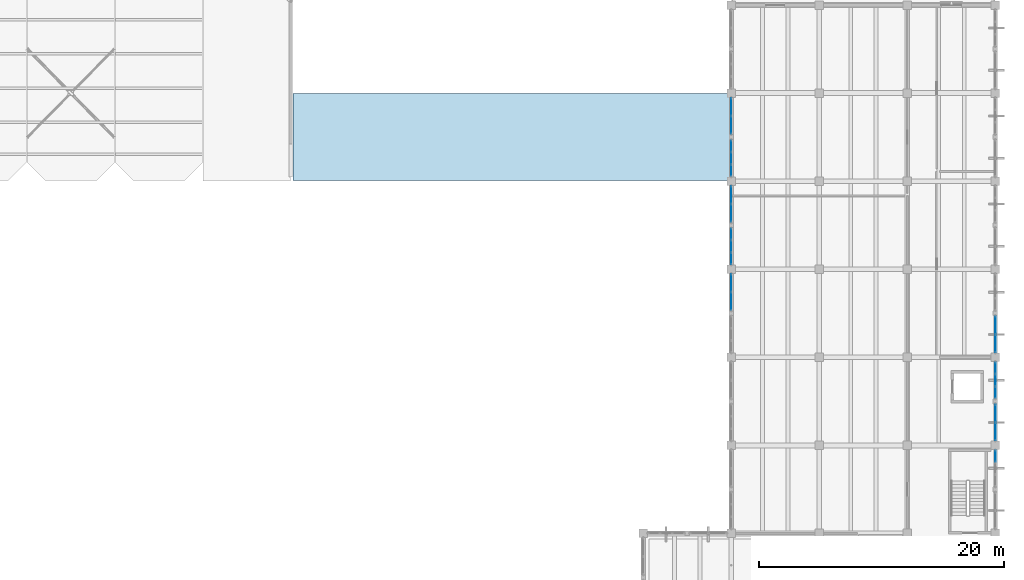
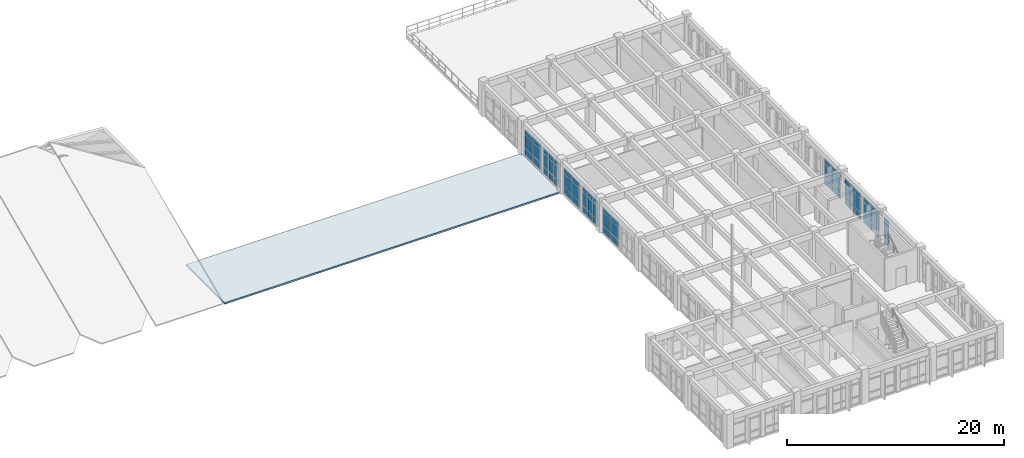
# One storey, part 28 of 54: 60 plates, 1 slab, 9 elements without a shape of their own.
"""IFC4 building model written with IfcOpenShell, lengths in metres."""

from ifc_helpers import new_model, si_unit, direction, frame, origin, origin_2d, place, context, subcontext, project, spatial, polyline, rectangle, outline, extrude, material, layer, layer_set, type_object, element, aggregate, save


model = new_model("IFC4")

# Units and contexts
model_context = context("Model", 3, precision=1e-05, world=origin(), true_north=direction((0.0, 1.0)))
body_context = subcontext(model_context, "Body", "Model", "MODEL_VIEW")
ifc_project = project(units=[si_unit("LENGTHUNIT", "METRE"), si_unit("AREAUNIT", "SQUARE_METRE"), si_unit("VOLUMEUNIT", "CUBIC_METRE"), si_unit("PLANEANGLEUNIT", "RADIAN"), si_unit("MASSUNIT", "GRAM", prefix="KILO")], contexts=[model_context])

# Site, building, storey
site_placement = place(None, origin())
site = spatial("IfcSite", under=ifc_project, at=site_placement, CompositionType="ELEMENT")
building_placement = place(site_placement, origin())
building = spatial("IfcBuilding", under=site, at=building_placement, Name="Koriwan Promenade Central Fire Station", CompositionType="ELEMENT")
storey_placement = place(building_placement, frame((0.0, 0.0, 9.60009765625)))
storey = spatial("IfcBuildingStorey", under=building, at=storey_placement, Name="L02", CompositionType="ELEMENT", Elevation=9.60009765625)

# Curtain wall, plates
ifc_material_1 = material(Name="Aluminium EN AW-6063-T6 and low-E glazing", Category="aluminium")
ifc_layer_1 = layer(ifc_material_1, 0.159912109375, Name="Aluminium EN AW-6063-T6 and low-E glazing")
ifc_layer_set_1 = layer_set([ifc_layer_1], Name="Aluminium EN AW-6063-T6 and low-E glazing")
curtain_wall_type_1 = type_object("IfcCurtainWallType", Name="CurtainWall_10_305x299", PredefinedType="USERDEFINED", material=ifc_layer_set_1)
curtain_wall_1_placement = place(storey_placement, origin())
curtain_wall_1 = element("IfcCurtainWall", 1, at=curtain_wall_1_placement, inside=storey, type_object=curtain_wall_type_1, Name="V5 L02 unitised curtain wall 228", ObjectType="UNITISED CURTAIN WALL", PredefinedType="USERDEFINED")
ifc_material_2 = material(Name="Low-E laminated double glazing", Category="glass")
ifc_layer_2 = layer(ifc_material_2, 0.028076171875, Name="Low-E laminated double glazing")
ifc_layer_set_2 = layer_set([ifc_layer_2], Name="Low-E laminated double glazing")
plate_type_1 = type_object("IfcPlateType", Name="CWPanel_28", PredefinedType="CURTAIN_PANEL", material=ifc_layer_set_2)
plate_1_placement = place(storey_placement, frame((151.199951171875, 33.382568359375, 0.079833984375), z_axis=(0.0, 0.0, 1.0), x_axis=(0.0, 1.0, 0.0)))
plate_1 = element("IfcPlate", 2, at=plate_1_placement, type_object=plate_type_1, Name="CW-10 panel 1.1", PredefinedType="CURTAIN_PANEL", context=body_context, shape_type="SweptSolid", body=[
    extrude(rectangle(XDim=1.405029296875, YDim=0.028076171875, at=origin_2d()), origin(), (0.0, 0.0, 1.0), 0.72998046875),
])
plate_2_placement = place(storey_placement, frame((151.199951171875, 33.382568359375, 0.89013671875), z_axis=(0.0, 0.0, 1.0), x_axis=(0.0, 1.0, 0.0)))
plate_2 = element("IfcPlate", 3, at=plate_2_placement, type_object=plate_type_1, Name="CW-10 panel 1.2", PredefinedType="CURTAIN_PANEL", context=body_context, shape_type="SweptSolid", body=[
    extrude(rectangle(XDim=1.405029296875, YDim=0.028076171875, at=origin_2d()), origin(), (0.0, 0.0, 1.0), 1.409912109375),
])
plate_3_placement = place(storey_placement, frame((151.199951171875, 33.382568359375, 2.3798828125), z_axis=(0.0, 0.0, 1.0), x_axis=(0.0, 1.0, 0.0)))
plate_3 = element("IfcPlate", 4, at=plate_3_placement, type_object=plate_type_1, Name="CW-10 panel 1.3", PredefinedType="CURTAIN_PANEL", context=body_context, shape_type="SweptSolid", body=[
    extrude(rectangle(XDim=1.405029296875, YDim=0.028076171875, at=origin_2d()), origin(), (0.0, 0.0, 1.0), 0.530029296875),
])
plate_4_placement = place(storey_placement, frame((151.199951171875, 34.867431640625, 0.079833984375), z_axis=(0.0, 0.0, 1.0), x_axis=(0.0, 1.0, 0.0)))
plate_4 = element("IfcPlate", 5, at=plate_4_placement, type_object=plate_type_1, Name="CW-10 panel 2.1", PredefinedType="CURTAIN_PANEL", context=body_context, shape_type="SweptSolid", body=[
    extrude(rectangle(XDim=1.405029296875, YDim=0.028076171875, at=origin_2d()), origin(), (0.0, 0.0, 1.0), 0.72998046875),
])
plate_5_placement = place(storey_placement, frame((151.199951171875, 34.867431640625, 0.89013671875), z_axis=(0.0, 0.0, 1.0), x_axis=(0.0, 1.0, 0.0)))
plate_5 = element("IfcPlate", 6, at=plate_5_placement, type_object=plate_type_1, Name="CW-10 panel 2.2", PredefinedType="CURTAIN_PANEL", context=body_context, shape_type="SweptSolid", body=[
    extrude(rectangle(XDim=1.405029296875, YDim=0.028076171875, at=origin_2d()), origin(), (0.0, 0.0, 1.0), 1.409912109375),
])
plate_6_placement = place(storey_placement, frame((151.199951171875, 34.867431640625, 2.3798828125), z_axis=(0.0, 0.0, 1.0), x_axis=(0.0, 1.0, 0.0)))
plate_6 = element("IfcPlate", 7, at=plate_6_placement, type_object=plate_type_1, Name="CW-10 panel 2.3", PredefinedType="CURTAIN_PANEL", context=body_context, shape_type="SweptSolid", body=[
    extrude(rectangle(XDim=1.405029296875, YDim=0.028076171875, at=origin_2d()), origin(), (0.0, 0.0, 1.0), 0.530029296875),
])
aggregate(curtain_wall_1, [plate_1, plate_2, plate_3, plate_4, plate_5, plate_6])

ifc_layer_3 = layer(ifc_material_1, 0.159912109375, Name="Aluminium EN AW-6063-T6 and low-E glazing")
ifc_layer_set_3 = layer_set([ifc_layer_3], Name="Aluminium EN AW-6063-T6 and low-E glazing")
curtain_wall_type_2 = type_object("IfcCurtainWallType", Name="CurtainWall_81_305x304", PredefinedType="USERDEFINED", material=ifc_layer_set_3)
curtain_wall_2_placement = place(storey_placement, origin())
curtain_wall_2 = element("IfcCurtainWall", 8, at=curtain_wall_2_placement, inside=storey, type_object=curtain_wall_type_2, Name="V5 L02 unitised curtain wall 230", ObjectType="UNITISED CURTAIN WALL", PredefinedType="USERDEFINED")
plate_7_placement = place(storey_placement, frame((151.199951171875, 40.58251953125, 0.079833984375), z_axis=(0.0, 0.0, 1.0), x_axis=(0.0, 1.0, 0.0)))
plate_7 = element("IfcPlate", 9, at=plate_7_placement, type_object=plate_type_1, Name="CW-81 panel 1.1", PredefinedType="CURTAIN_PANEL", context=body_context, shape_type="SweptSolid", body=[
    extrude(rectangle(XDim=1.405029296875, YDim=0.028076171875, at=origin_2d()), origin(), (0.0, 0.0, 1.0), 0.72998046875),
])
plate_8_placement = place(storey_placement, frame((151.199951171875, 40.58251953125, 0.889892578125), z_axis=(0.0, 0.0, 1.0), x_axis=(0.0, 1.0, 0.0)))
plate_8 = element("IfcPlate", 10, at=plate_8_placement, type_object=plate_type_1, Name="CW-81 panel 1.2", PredefinedType="CURTAIN_PANEL", context=body_context, shape_type="SweptSolid", body=[
    extrude(rectangle(XDim=1.405029296875, YDim=0.028076171875, at=origin_2d()), origin(), (0.0, 0.0, 1.0), 1.4599609375),
])
plate_9_placement = place(storey_placement, frame((151.199951171875, 40.58251953125, 2.4296875), z_axis=(0.0, 0.0, 1.0), x_axis=(0.0, 1.0, 0.0)))
plate_9 = element("IfcPlate", 11, at=plate_9_placement, type_object=plate_type_1, Name="CW-81 panel 1.3", PredefinedType="CURTAIN_PANEL", context=body_context, shape_type="SweptSolid", body=[
    extrude(rectangle(XDim=1.405029296875, YDim=0.028076171875, at=origin_2d()), origin(), (0.0, 0.0, 1.0), 0.530029296875),
])
plate_10_placement = place(storey_placement, frame((151.199951171875, 42.0673828125, 0.079833984375), z_axis=(0.0, 0.0, 1.0), x_axis=(0.0, 1.0, 0.0)))
plate_10 = element("IfcPlate", 12, at=plate_10_placement, type_object=plate_type_1, Name="CW-81 panel 2.1", PredefinedType="CURTAIN_PANEL", context=body_context, shape_type="SweptSolid", body=[
    extrude(rectangle(XDim=1.405029296875, YDim=0.028076171875, at=origin_2d()), origin(), (0.0, 0.0, 1.0), 0.72998046875),
])
plate_11_placement = place(storey_placement, frame((151.199951171875, 42.0673828125, 0.889892578125), z_axis=(0.0, 0.0, 1.0), x_axis=(0.0, 1.0, 0.0)))
plate_11 = element("IfcPlate", 13, at=plate_11_placement, type_object=plate_type_1, Name="CW-81 panel 2.2", PredefinedType="CURTAIN_PANEL", context=body_context, shape_type="SweptSolid", body=[
    extrude(rectangle(XDim=1.405029296875, YDim=0.028076171875, at=origin_2d()), origin(), (0.0, 0.0, 1.0), 1.4599609375),
])
plate_12_placement = place(storey_placement, frame((151.199951171875, 42.0673828125, 2.4296875), z_axis=(0.0, 0.0, 1.0), x_axis=(0.0, 1.0, 0.0)))
plate_12 = element("IfcPlate", 14, at=plate_12_placement, type_object=plate_type_1, Name="CW-81 panel 2.3", PredefinedType="CURTAIN_PANEL", context=body_context, shape_type="SweptSolid", body=[
    extrude(rectangle(XDim=1.405029296875, YDim=0.028076171875, at=origin_2d()), origin(), (0.0, 0.0, 1.0), 0.530029296875),
])
aggregate(curtain_wall_2, [plate_7, plate_8, plate_9, plate_10, plate_11, plate_12])

ifc_layer_4 = layer(ifc_material_1, 0.159912109375, Name="Aluminium EN AW-6063-T6 and low-E glazing")
ifc_layer_set_4 = layer_set([ifc_layer_4], Name="Aluminium EN AW-6063-T6 and low-E glazing")
curtain_wall_type_3 = type_object("IfcCurtainWallType", Name="CurtainWall_75_305x300", PredefinedType="USERDEFINED", material=ifc_layer_set_4)
curtain_wall_3_placement = place(storey_placement, origin())
curtain_wall_3 = element("IfcCurtainWall", 15, at=curtain_wall_3_placement, inside=storey, type_object=curtain_wall_type_3, Name="V5 L02 unitised curtain wall 232", ObjectType="UNITISED CURTAIN WALL", PredefinedType="USERDEFINED")
plate_13_placement = place(storey_placement, frame((151.199951171875, 47.782470703125, 0.079833984375), z_axis=(0.0, 0.0, 1.0), x_axis=(0.0, 1.0, 0.0)))
plate_13 = element("IfcPlate", 16, at=plate_13_placement, type_object=plate_type_1, Name="CW-75 panel 1.1", PredefinedType="CURTAIN_PANEL", context=body_context, shape_type="SweptSolid", body=[
    extrude(rectangle(XDim=1.405029296875, YDim=0.028076171875, at=origin_2d()), origin(), (0.0, 0.0, 1.0), 0.72998046875),
])
plate_14_placement = place(storey_placement, frame((151.199951171875, 47.782470703125, 0.889892578125), z_axis=(0.0, 0.0, 1.0), x_axis=(0.0, 1.0, 0.0)))
plate_14 = element("IfcPlate", 17, at=plate_14_placement, type_object=plate_type_1, Name="CW-75 panel 1.2", PredefinedType="CURTAIN_PANEL", context=body_context, shape_type="SweptSolid", body=[
    extrude(rectangle(XDim=1.405029296875, YDim=0.028076171875, at=origin_2d()), origin(), (0.0, 0.0, 1.0), 1.419921875),
])
plate_15_placement = place(storey_placement, frame((151.199951171875, 47.782470703125, 2.3896484375), z_axis=(0.0, 0.0, 1.0), x_axis=(0.0, 1.0, 0.0)))
plate_15 = element("IfcPlate", 18, at=plate_15_placement, type_object=plate_type_1, Name="CW-75 panel 1.3", PredefinedType="CURTAIN_PANEL", context=body_context, shape_type="SweptSolid", body=[
    extrude(rectangle(XDim=1.405029296875, YDim=0.028076171875, at=origin_2d()), origin(), (0.0, 0.0, 1.0), 0.530029296875),
])
plate_16_placement = place(storey_placement, frame((151.199951171875, 49.267578125, 0.079833984375), z_axis=(0.0, 0.0, 1.0), x_axis=(0.0, 1.0, 0.0)))
plate_16 = element("IfcPlate", 19, at=plate_16_placement, type_object=plate_type_1, Name="CW-75 panel 2.1", PredefinedType="CURTAIN_PANEL", context=body_context, shape_type="SweptSolid", body=[
    extrude(rectangle(XDim=1.405029296875, YDim=0.028076171875, at=origin_2d()), origin(), (0.0, 0.0, 1.0), 0.72998046875),
])
plate_17_placement = place(storey_placement, frame((151.199951171875, 49.267578125, 0.889892578125), z_axis=(0.0, 0.0, 1.0), x_axis=(0.0, 1.0, 0.0)))
plate_17 = element("IfcPlate", 20, at=plate_17_placement, type_object=plate_type_1, Name="CW-75 panel 2.2", PredefinedType="CURTAIN_PANEL", context=body_context, shape_type="SweptSolid", body=[
    extrude(rectangle(XDim=1.405029296875, YDim=0.028076171875, at=origin_2d()), origin(), (0.0, 0.0, 1.0), 1.419921875),
])
plate_18_placement = place(storey_placement, frame((151.199951171875, 49.267578125, 2.3896484375), z_axis=(0.0, 0.0, 1.0), x_axis=(0.0, 1.0, 0.0)))
plate_18 = element("IfcPlate", 21, at=plate_18_placement, type_object=plate_type_1, Name="CW-75 panel 2.3", PredefinedType="CURTAIN_PANEL", context=body_context, shape_type="SweptSolid", body=[
    extrude(rectangle(XDim=1.405029296875, YDim=0.028076171875, at=origin_2d()), origin(), (0.0, 0.0, 1.0), 0.530029296875),
])
aggregate(curtain_wall_3, [plate_13, plate_14, plate_15, plate_16, plate_17, plate_18])

curtain_wall_4_placement = place(storey_placement, origin())
curtain_wall_4 = element("IfcCurtainWall", 22, at=curtain_wall_4_placement, inside=storey, type_object=curtain_wall_type_1, Name="V5 L02 unitised curtain wall 242", ObjectType="UNITISED CURTAIN WALL", PredefinedType="USERDEFINED")
plate_19_placement = place(storey_placement, frame((172.800048828125, 31.41748046875, 0.079833984375), z_axis=(0.0, 0.0, 1.0), x_axis=(0.0, -1.0, 0.0)))
plate_19 = element("IfcPlate", 23, at=plate_19_placement, type_object=plate_type_1, Name="CW-10 panel 1.1", PredefinedType="CURTAIN_PANEL", context=body_context, shape_type="SweptSolid", body=[
    extrude(rectangle(XDim=1.405029296875, YDim=0.028076171875, at=origin_2d()), origin(), (0.0, 0.0, 1.0), 0.72998046875),
])
plate_20_placement = place(storey_placement, frame((172.800048828125, 31.41748046875, 0.89013671875), z_axis=(0.0, 0.0, 1.0), x_axis=(0.0, -1.0, 0.0)))
plate_20 = element("IfcPlate", 24, at=plate_20_placement, type_object=plate_type_1, Name="CW-10 panel 1.2", PredefinedType="CURTAIN_PANEL", context=body_context, shape_type="SweptSolid", body=[
    extrude(rectangle(XDim=1.405029296875, YDim=0.028076171875, at=origin_2d()), origin(), (0.0, 0.0, 1.0), 1.409912109375),
])
plate_21_placement = place(storey_placement, frame((172.800048828125, 31.41748046875, 2.3798828125), z_axis=(0.0, 0.0, 1.0), x_axis=(0.0, -1.0, 0.0)))
plate_21 = element("IfcPlate", 25, at=plate_21_placement, type_object=plate_type_1, Name="CW-10 panel 1.3", PredefinedType="CURTAIN_PANEL", context=body_context, shape_type="SweptSolid", body=[
    extrude(rectangle(XDim=1.405029296875, YDim=0.028076171875, at=origin_2d()), origin(), (0.0, 0.0, 1.0), 0.530029296875),
])
plate_22_placement = place(storey_placement, frame((172.800048828125, 29.9326171875, 0.079833984375), z_axis=(0.0, 0.0, 1.0), x_axis=(0.0, -1.0, 0.0)))
plate_22 = element("IfcPlate", 26, at=plate_22_placement, type_object=plate_type_1, Name="CW-10 panel 2.1", PredefinedType="CURTAIN_PANEL", context=body_context, shape_type="SweptSolid", body=[
    extrude(rectangle(XDim=1.405029296875, YDim=0.028076171875, at=origin_2d()), origin(), (0.0, 0.0, 1.0), 0.72998046875),
])
plate_23_placement = place(storey_placement, frame((172.800048828125, 29.9326171875, 0.89013671875), z_axis=(0.0, 0.0, 1.0), x_axis=(0.0, -1.0, 0.0)))
plate_23 = element("IfcPlate", 27, at=plate_23_placement, type_object=plate_type_1, Name="CW-10 panel 2.2", PredefinedType="CURTAIN_PANEL", context=body_context, shape_type="SweptSolid", body=[
    extrude(rectangle(XDim=1.405029296875, YDim=0.028076171875, at=origin_2d()), origin(), (0.0, 0.0, 1.0), 1.409912109375),
])
plate_24_placement = place(storey_placement, frame((172.800048828125, 29.9326171875, 2.3798828125), z_axis=(0.0, 0.0, 1.0), x_axis=(0.0, -1.0, 0.0)))
plate_24 = element("IfcPlate", 28, at=plate_24_placement, type_object=plate_type_1, Name="CW-10 panel 2.3", PredefinedType="CURTAIN_PANEL", context=body_context, shape_type="SweptSolid", body=[
    extrude(rectangle(XDim=1.405029296875, YDim=0.028076171875, at=origin_2d()), origin(), (0.0, 0.0, 1.0), 0.530029296875),
])
aggregate(curtain_wall_4, [plate_19, plate_20, plate_21, plate_22, plate_23, plate_24])

curtain_wall_5_placement = place(storey_placement, origin())
curtain_wall_5 = element("IfcCurtainWall", 29, at=curtain_wall_5_placement, inside=storey, type_object=curtain_wall_type_2, Name="V5 L02 unitised curtain wall 244", ObjectType="UNITISED CURTAIN WALL", PredefinedType="USERDEFINED")
plate_25_placement = place(storey_placement, frame((172.800048828125, 24.217529296875, 0.079833984375), z_axis=(0.0, 0.0, 1.0), x_axis=(0.0, -1.0, 0.0)))
plate_25 = element("IfcPlate", 30, at=plate_25_placement, type_object=plate_type_1, Name="CW-81 panel 1.1", PredefinedType="CURTAIN_PANEL", context=body_context, shape_type="SweptSolid", body=[
    extrude(rectangle(XDim=1.405029296875, YDim=0.028076171875, at=origin_2d()), origin(), (0.0, 0.0, 1.0), 0.72998046875),
])
plate_26_placement = place(storey_placement, frame((172.800048828125, 24.217529296875, 0.889892578125), z_axis=(0.0, 0.0, 1.0), x_axis=(0.0, -1.0, 0.0)))
plate_26 = element("IfcPlate", 31, at=plate_26_placement, type_object=plate_type_1, Name="CW-81 panel 1.2", PredefinedType="CURTAIN_PANEL", context=body_context, shape_type="SweptSolid", body=[
    extrude(rectangle(XDim=1.405029296875, YDim=0.028076171875, at=origin_2d()), origin(), (0.0, 0.0, 1.0), 1.4599609375),
])
plate_27_placement = place(storey_placement, frame((172.800048828125, 24.217529296875, 2.4296875), z_axis=(0.0, 0.0, 1.0), x_axis=(0.0, -1.0, 0.0)))
plate_27 = element("IfcPlate", 32, at=plate_27_placement, type_object=plate_type_1, Name="CW-81 panel 1.3", PredefinedType="CURTAIN_PANEL", context=body_context, shape_type="SweptSolid", body=[
    extrude(rectangle(XDim=1.405029296875, YDim=0.028076171875, at=origin_2d()), origin(), (0.0, 0.0, 1.0), 0.530029296875),
])
plate_28_placement = place(storey_placement, frame((172.800048828125, 22.732421875, 0.079833984375), z_axis=(0.0, 0.0, 1.0), x_axis=(0.0, -1.0, 0.0)))
plate_28 = element("IfcPlate", 33, at=plate_28_placement, type_object=plate_type_1, Name="CW-81 panel 2.1", PredefinedType="CURTAIN_PANEL", context=body_context, shape_type="SweptSolid", body=[
    extrude(rectangle(XDim=1.405029296875, YDim=0.028076171875, at=origin_2d()), origin(), (0.0, 0.0, 1.0), 0.72998046875),
])
plate_29_placement = place(storey_placement, frame((172.800048828125, 22.732421875, 0.889892578125), z_axis=(0.0, 0.0, 1.0), x_axis=(0.0, -1.0, 0.0)))
plate_29 = element("IfcPlate", 34, at=plate_29_placement, type_object=plate_type_1, Name="CW-81 panel 2.2", PredefinedType="CURTAIN_PANEL", context=body_context, shape_type="SweptSolid", body=[
    extrude(rectangle(XDim=1.405029296875, YDim=0.028076171875, at=origin_2d()), origin(), (0.0, 0.0, 1.0), 1.4599609375),
])
plate_30_placement = place(storey_placement, frame((172.800048828125, 22.732421875, 2.4296875), z_axis=(0.0, 0.0, 1.0), x_axis=(0.0, -1.0, 0.0)))
plate_30 = element("IfcPlate", 35, at=plate_30_placement, type_object=plate_type_1, Name="CW-81 panel 2.3", PredefinedType="CURTAIN_PANEL", context=body_context, shape_type="SweptSolid", body=[
    extrude(rectangle(XDim=1.405029296875, YDim=0.028076171875, at=origin_2d()), origin(), (0.0, 0.0, 1.0), 0.530029296875),
])
aggregate(curtain_wall_5, [plate_25, plate_26, plate_27, plate_28, plate_29, plate_30])

ifc_layer_5 = layer(ifc_material_1, 0.159912109375, Name="Aluminium EN AW-6063-T6 and low-E glazing")
ifc_layer_set_5 = layer_set([ifc_layer_5], Name="Aluminium EN AW-6063-T6 and low-E glazing")
curtain_wall_type_4 = type_object("IfcCurtainWallType", Name="CurtainWall_80_305x304", PredefinedType="USERDEFINED", material=ifc_layer_set_5)
curtain_wall_6_placement = place(storey_placement, origin())
curtain_wall_6 = element("IfcCurtainWall", 36, at=curtain_wall_6_placement, inside=storey, type_object=curtain_wall_type_4, Name="V5 L02 unitised curtain wall 229", ObjectType="UNITISED CURTAIN WALL", PredefinedType="USERDEFINED")
ifc_material_3 = material(Name="Solar-control low-E acoustic glazing", Category="glass")
ifc_layer_6 = layer(ifc_material_3, 0.031982421875, Name="Solar-control low-E acoustic glazing")
ifc_layer_set_6 = layer_set([ifc_layer_6], Name="Solar-control low-E acoustic glazing")
plate_type_2 = type_object("IfcPlateType", Name="CWPanel_32", PredefinedType="CURTAIN_PANEL", material=ifc_layer_set_6)
plate_31_placement = place(storey_placement, frame((151.199951171875, 36.877197265625, 0.07470703125), z_axis=(0.0, 0.0, 1.0), x_axis=(0.0, 1.0, 0.0)))
plate_31 = element("IfcPlate", 37, at=plate_31_placement, type_object=plate_type_2, Name="CW-80 panel 1.1", PredefinedType="CURTAIN_PANEL", context=body_context, shape_type="SweptSolid", body=[
    extrude(rectangle(XDim=0.904052734375, YDim=0.031982421875, at=origin_2d()), origin(), (0.0, 0.0, 1.0), 0.737548828125),
])
plate_32_placement = place(storey_placement, frame((151.199951171875, 36.877197265625, 0.88720703125), z_axis=(0.0, 0.0, 1.0), x_axis=(0.0, 1.0, 0.0)))
plate_32 = element("IfcPlate", 38, at=plate_32_placement, type_object=plate_type_2, Name="CW-80 panel 1.2", PredefinedType="CURTAIN_PANEL", context=body_context, shape_type="SweptSolid", body=[
    extrude(rectangle(XDim=0.904052734375, YDim=0.031982421875, at=origin_2d()), origin(), (0.0, 0.0, 1.0), 1.465087890625),
])
plate_33_placement = place(storey_placement, frame((151.199951171875, 36.877197265625, 2.42724609375), z_axis=(0.0, 0.0, 1.0), x_axis=(0.0, 1.0, 0.0)))
plate_33 = element("IfcPlate", 39, at=plate_33_placement, type_object=plate_type_2, Name="CW-80 panel 1.3", PredefinedType="CURTAIN_PANEL", context=body_context, shape_type="SweptSolid", body=[
    extrude(rectangle(XDim=0.904052734375, YDim=0.031982421875, at=origin_2d()), origin(), (0.0, 0.0, 1.0), 0.53759765625),
])
plate_34_placement = place(storey_placement, frame((151.199951171875, 37.875, 0.07470703125), z_axis=(0.0, 0.0, 1.0), x_axis=(0.0, 1.0, 0.0)))
plate_34 = element("IfcPlate", 40, at=plate_34_placement, type_object=plate_type_2, Name="CW-80 panel 2.1", PredefinedType="CURTAIN_PANEL", context=body_context, shape_type="SweptSolid", body=[
    extrude(rectangle(XDim=0.941650390625, YDim=0.031982421875, at=origin_2d()), origin(), (0.0, 0.0, 1.0), 0.737548828125),
])
plate_35_placement = place(storey_placement, frame((151.199951171875, 37.875, 0.88720703125), z_axis=(0.0, 0.0, 1.0), x_axis=(0.0, 1.0, 0.0)))
plate_35 = element("IfcPlate", 41, at=plate_35_placement, type_object=plate_type_2, Name="CW-80 panel 2.2", PredefinedType="CURTAIN_PANEL", context=body_context, shape_type="SweptSolid", body=[
    extrude(rectangle(XDim=0.941650390625, YDim=0.031982421875, at=origin_2d()), origin(), (0.0, 0.0, 1.0), 1.465087890625),
])
plate_36_placement = place(storey_placement, frame((151.199951171875, 37.875, 2.42724609375), z_axis=(0.0, 0.0, 1.0), x_axis=(0.0, 1.0, 0.0)))
plate_36 = element("IfcPlate", 42, at=plate_36_placement, type_object=plate_type_2, Name="CW-80 panel 2.3", PredefinedType="CURTAIN_PANEL", context=body_context, shape_type="SweptSolid", body=[
    extrude(rectangle(XDim=0.941650390625, YDim=0.031982421875, at=origin_2d()), origin(), (0.0, 0.0, 1.0), 0.53759765625),
])
plate_37_placement = place(storey_placement, frame((151.199951171875, 38.872802734375, 0.07470703125), z_axis=(0.0, 0.0, 1.0), x_axis=(0.0, 1.0, 0.0)))
plate_37 = element("IfcPlate", 43, at=plate_37_placement, type_object=plate_type_2, Name="CW-80 panel 3.1", PredefinedType="CURTAIN_PANEL", context=body_context, shape_type="SweptSolid", body=[
    extrude(rectangle(XDim=0.904052734375, YDim=0.031982421875, at=origin_2d()), origin(), (0.0, 0.0, 1.0), 0.737548828125),
])
plate_38_placement = place(storey_placement, frame((151.199951171875, 38.872802734375, 0.88720703125), z_axis=(0.0, 0.0, 1.0), x_axis=(0.0, 1.0, 0.0)))
plate_38 = element("IfcPlate", 44, at=plate_38_placement, type_object=plate_type_2, Name="CW-80 panel 3.2", PredefinedType="CURTAIN_PANEL", context=body_context, shape_type="SweptSolid", body=[
    extrude(rectangle(XDim=0.904052734375, YDim=0.031982421875, at=origin_2d()), origin(), (0.0, 0.0, 1.0), 1.465087890625),
])
plate_39_placement = place(storey_placement, frame((151.199951171875, 38.872802734375, 2.42724609375), z_axis=(0.0, 0.0, 1.0), x_axis=(0.0, 1.0, 0.0)))
plate_39 = element("IfcPlate", 45, at=plate_39_placement, type_object=plate_type_2, Name="CW-80 panel 3.3", PredefinedType="CURTAIN_PANEL", context=body_context, shape_type="SweptSolid", body=[
    extrude(rectangle(XDim=0.904052734375, YDim=0.031982421875, at=origin_2d()), origin(), (0.0, 0.0, 1.0), 0.53759765625),
])
aggregate(curtain_wall_6, [plate_31, plate_32, plate_33, plate_34, plate_35, plate_36, plate_37, plate_38, plate_39])

ifc_layer_7 = layer(ifc_material_1, 0.159912109375, Name="Aluminium EN AW-6063-T6 and low-E glazing")
ifc_layer_set_7 = layer_set([ifc_layer_7], Name="Aluminium EN AW-6063-T6 and low-E glazing")
curtain_wall_type_5 = type_object("IfcCurtainWallType", Name="CurtainWall_74_305x300", PredefinedType="USERDEFINED", material=ifc_layer_set_7)
curtain_wall_7_placement = place(storey_placement, origin())
curtain_wall_7 = element("IfcCurtainWall", 46, at=curtain_wall_7_placement, inside=storey, type_object=curtain_wall_type_5, Name="V5 L02 unitised curtain wall 231", ObjectType="UNITISED CURTAIN WALL", PredefinedType="USERDEFINED")
plate_40_placement = place(storey_placement, frame((151.199951171875, 44.0771484375, 0.07470703125), z_axis=(0.0, 0.0, 1.0), x_axis=(0.0, 1.0, 0.0)))
plate_40 = element("IfcPlate", 47, at=plate_40_placement, type_object=plate_type_2, Name="CW-74 panel 1.1", PredefinedType="CURTAIN_PANEL", context=body_context, shape_type="SweptSolid", body=[
    extrude(rectangle(XDim=0.904052734375, YDim=0.031982421875, at=origin_2d()), origin(), (0.0, 0.0, 1.0), 0.737548828125),
])
plate_41_placement = place(storey_placement, frame((151.199951171875, 44.0771484375, 0.88720703125), z_axis=(0.0, 0.0, 1.0), x_axis=(0.0, 1.0, 0.0)))
plate_41 = element("IfcPlate", 48, at=plate_41_placement, type_object=plate_type_2, Name="CW-74 panel 1.2", PredefinedType="CURTAIN_PANEL", context=body_context, shape_type="SweptSolid", body=[
    extrude(rectangle(XDim=0.904052734375, YDim=0.031982421875, at=origin_2d()), origin(), (0.0, 0.0, 1.0), 1.425048828125),
])
plate_42_placement = place(storey_placement, frame((151.199951171875, 44.0771484375, 2.387451171875), z_axis=(0.0, 0.0, 1.0), x_axis=(0.0, 1.0, 0.0)))
plate_42 = element("IfcPlate", 49, at=plate_42_placement, type_object=plate_type_2, Name="CW-74 panel 1.3", PredefinedType="CURTAIN_PANEL", context=body_context, shape_type="SweptSolid", body=[
    extrude(rectangle(XDim=0.904052734375, YDim=0.031982421875, at=origin_2d()), origin(), (0.0, 0.0, 1.0), 0.53759765625),
])
plate_43_placement = place(storey_placement, frame((151.199951171875, 45.074951171875, 0.07470703125), z_axis=(0.0, 0.0, 1.0), x_axis=(0.0, 1.0, 0.0)))
plate_43 = element("IfcPlate", 50, at=plate_43_placement, type_object=plate_type_2, Name="CW-74 panel 2.1", PredefinedType="CURTAIN_PANEL", context=body_context, shape_type="SweptSolid", body=[
    extrude(rectangle(XDim=0.941650390625, YDim=0.031982421875, at=origin_2d()), origin(), (0.0, 0.0, 1.0), 0.737548828125),
])
plate_44_placement = place(storey_placement, frame((151.199951171875, 45.074951171875, 0.88720703125), z_axis=(0.0, 0.0, 1.0), x_axis=(0.0, 1.0, 0.0)))
plate_44 = element("IfcPlate", 51, at=plate_44_placement, type_object=plate_type_2, Name="CW-74 panel 2.2", PredefinedType="CURTAIN_PANEL", context=body_context, shape_type="SweptSolid", body=[
    extrude(rectangle(XDim=0.941650390625, YDim=0.031982421875, at=origin_2d()), origin(), (0.0, 0.0, 1.0), 1.425048828125),
])
plate_45_placement = place(storey_placement, frame((151.199951171875, 45.074951171875, 2.387451171875), z_axis=(0.0, 0.0, 1.0), x_axis=(0.0, 1.0, 0.0)))
plate_45 = element("IfcPlate", 52, at=plate_45_placement, type_object=plate_type_2, Name="CW-74 panel 2.3", PredefinedType="CURTAIN_PANEL", context=body_context, shape_type="SweptSolid", body=[
    extrude(rectangle(XDim=0.941650390625, YDim=0.031982421875, at=origin_2d()), origin(), (0.0, 0.0, 1.0), 0.53759765625),
])
plate_46_placement = place(storey_placement, frame((151.199951171875, 46.072998046875, 0.07470703125), z_axis=(0.0, 0.0, 1.0), x_axis=(0.0, 1.0, 0.0)))
plate_46 = element("IfcPlate", 53, at=plate_46_placement, type_object=plate_type_2, Name="CW-74 panel 3.1", PredefinedType="CURTAIN_PANEL", context=body_context, shape_type="SweptSolid", body=[
    extrude(rectangle(XDim=0.904052734375, YDim=0.031982421875, at=origin_2d()), origin(), (0.0, 0.0, 1.0), 0.737548828125),
])
plate_47_placement = place(storey_placement, frame((151.199951171875, 46.072998046875, 0.88720703125), z_axis=(0.0, 0.0, 1.0), x_axis=(0.0, 1.0, 0.0)))
plate_47 = element("IfcPlate", 54, at=plate_47_placement, type_object=plate_type_2, Name="CW-74 panel 3.2", PredefinedType="CURTAIN_PANEL", context=body_context, shape_type="SweptSolid", body=[
    extrude(rectangle(XDim=0.904052734375, YDim=0.031982421875, at=origin_2d()), origin(), (0.0, 0.0, 1.0), 1.425048828125),
])
plate_48_placement = place(storey_placement, frame((151.199951171875, 46.072998046875, 2.387451171875), z_axis=(0.0, 0.0, 1.0), x_axis=(0.0, 1.0, 0.0)))
plate_48 = element("IfcPlate", 55, at=plate_48_placement, type_object=plate_type_2, Name="CW-74 panel 3.3", PredefinedType="CURTAIN_PANEL", context=body_context, shape_type="SweptSolid", body=[
    extrude(rectangle(XDim=0.904052734375, YDim=0.031982421875, at=origin_2d()), origin(), (0.0, 0.0, 1.0), 0.53759765625),
])
aggregate(curtain_wall_7, [plate_40, plate_41, plate_42, plate_43, plate_44, plate_45, plate_46, plate_47, plate_48])

curtain_wall_8_placement = place(storey_placement, origin())
curtain_wall_8 = element("IfcCurtainWall", 56, at=curtain_wall_8_placement, inside=storey, type_object=curtain_wall_type_4, Name="V5 L02 unitised curtain wall 243", ObjectType="UNITISED CURTAIN WALL", PredefinedType="USERDEFINED")
plate_49_placement = place(storey_placement, frame((172.800048828125, 27.9228515625, 0.07470703125), z_axis=(0.0, 0.0, 1.0), x_axis=(0.0, -1.0, 0.0)))
plate_49 = element("IfcPlate", 57, at=plate_49_placement, type_object=plate_type_2, Name="CW-80 panel 1.1", PredefinedType="CURTAIN_PANEL", context=body_context, shape_type="SweptSolid", body=[
    extrude(rectangle(XDim=0.904052734375, YDim=0.031982421875, at=origin_2d()), origin(), (0.0, 0.0, 1.0), 0.737548828125),
])
plate_50_placement = place(storey_placement, frame((172.800048828125, 27.9228515625, 0.88720703125), z_axis=(0.0, 0.0, 1.0), x_axis=(0.0, -1.0, 0.0)))
plate_50 = element("IfcPlate", 58, at=plate_50_placement, type_object=plate_type_2, Name="CW-80 panel 1.2", PredefinedType="CURTAIN_PANEL", context=body_context, shape_type="SweptSolid", body=[
    extrude(rectangle(XDim=0.904052734375, YDim=0.031982421875, at=origin_2d()), origin(), (0.0, 0.0, 1.0), 1.465087890625),
])
plate_51_placement = place(storey_placement, frame((172.800048828125, 27.9228515625, 2.42724609375), z_axis=(0.0, 0.0, 1.0), x_axis=(0.0, -1.0, 0.0)))
plate_51 = element("IfcPlate", 59, at=plate_51_placement, type_object=plate_type_2, Name="CW-80 panel 1.3", PredefinedType="CURTAIN_PANEL", context=body_context, shape_type="SweptSolid", body=[
    extrude(rectangle(XDim=0.904052734375, YDim=0.031982421875, at=origin_2d()), origin(), (0.0, 0.0, 1.0), 0.53759765625),
])
plate_52_placement = place(storey_placement, frame((172.800048828125, 26.925048828125, 0.07470703125), z_axis=(0.0, 0.0, 1.0), x_axis=(0.0, -1.0, 0.0)))
plate_52 = element("IfcPlate", 60, at=plate_52_placement, type_object=plate_type_2, Name="CW-80 panel 2.1", PredefinedType="CURTAIN_PANEL", context=body_context, shape_type="SweptSolid", body=[
    extrude(rectangle(XDim=0.941650390625, YDim=0.031982421875, at=origin_2d()), origin(), (0.0, 0.0, 1.0), 0.737548828125),
])
plate_53_placement = place(storey_placement, frame((172.800048828125, 26.925048828125, 0.88720703125), z_axis=(0.0, 0.0, 1.0), x_axis=(0.0, -1.0, 0.0)))
plate_53 = element("IfcPlate", 61, at=plate_53_placement, type_object=plate_type_2, Name="CW-80 panel 2.2", PredefinedType="CURTAIN_PANEL", context=body_context, shape_type="SweptSolid", body=[
    extrude(rectangle(XDim=0.941650390625, YDim=0.031982421875, at=origin_2d()), origin(), (0.0, 0.0, 1.0), 1.465087890625),
])
plate_54_placement = place(storey_placement, frame((172.800048828125, 26.925048828125, 2.42724609375), z_axis=(0.0, 0.0, 1.0), x_axis=(0.0, -1.0, 0.0)))
plate_54 = element("IfcPlate", 62, at=plate_54_placement, type_object=plate_type_2, Name="CW-80 panel 2.3", PredefinedType="CURTAIN_PANEL", context=body_context, shape_type="SweptSolid", body=[
    extrude(rectangle(XDim=0.941650390625, YDim=0.031982421875, at=origin_2d()), origin(), (0.0, 0.0, 1.0), 0.53759765625),
])
plate_55_placement = place(storey_placement, frame((172.800048828125, 25.927001953125, 0.07470703125), z_axis=(0.0, 0.0, 1.0), x_axis=(0.0, -1.0, 0.0)))
plate_55 = element("IfcPlate", 63, at=plate_55_placement, type_object=plate_type_2, Name="CW-80 panel 3.1", PredefinedType="CURTAIN_PANEL", context=body_context, shape_type="SweptSolid", body=[
    extrude(rectangle(XDim=0.904052734375, YDim=0.031982421875, at=origin_2d()), origin(), (0.0, 0.0, 1.0), 0.737548828125),
])
plate_56_placement = place(storey_placement, frame((172.800048828125, 25.927001953125, 0.88720703125), z_axis=(0.0, 0.0, 1.0), x_axis=(0.0, -1.0, 0.0)))
plate_56 = element("IfcPlate", 64, at=plate_56_placement, type_object=plate_type_2, Name="CW-80 panel 3.2", PredefinedType="CURTAIN_PANEL", context=body_context, shape_type="SweptSolid", body=[
    extrude(rectangle(XDim=0.904052734375, YDim=0.031982421875, at=origin_2d()), origin(), (0.0, 0.0, 1.0), 1.465087890625),
])
plate_57_placement = place(storey_placement, frame((172.800048828125, 25.927001953125, 2.42724609375), z_axis=(0.0, 0.0, 1.0), x_axis=(0.0, -1.0, 0.0)))
plate_57 = element("IfcPlate", 65, at=plate_57_placement, type_object=plate_type_2, Name="CW-80 panel 3.3", PredefinedType="CURTAIN_PANEL", context=body_context, shape_type="SweptSolid", body=[
    extrude(rectangle(XDim=0.904052734375, YDim=0.031982421875, at=origin_2d()), origin(), (0.0, 0.0, 1.0), 0.53759765625),
])
aggregate(curtain_wall_8, [plate_49, plate_50, plate_51, plate_52, plate_53, plate_54, plate_55, plate_56, plate_57])

ifc_layer_8 = layer(ifc_material_1, 0.159912109375, Name="Aluminium EN AW-6063-T6 and low-E glazing")
ifc_layer_set_8 = layer_set([ifc_layer_8], Name="Aluminium EN AW-6063-T6 and low-E glazing")
curtain_wall_type_6 = type_object("IfcCurtainWallType", Name="CurtainWall_73_305x299", PredefinedType="USERDEFINED", material=ifc_layer_set_8)
curtain_wall_9_placement = place(storey_placement, origin())
curtain_wall_9 = element("IfcCurtainWall", 66, at=curtain_wall_9_placement, inside=storey, type_object=curtain_wall_type_6, Name="V5 L02 unitised curtain wall 245", ObjectType="UNITISED CURTAIN WALL", PredefinedType="USERDEFINED")
plate_58_placement = place(storey_placement, frame((172.800048828125, 20.722900390625, 0.07470703125), z_axis=(0.0, 0.0, 1.0), x_axis=(0.0, -1.0, 0.0)))
plate_58 = element("IfcPlate", 67, at=plate_58_placement, type_object=plate_type_2, Name="CW-73 panel 1.1", PredefinedType="CURTAIN_PANEL", context=body_context, shape_type="SweptSolid", body=[
    extrude(rectangle(XDim=0.904052734375, YDim=0.031982421875, at=origin_2d()), origin(), (0.0, 0.0, 1.0), 0.737548828125),
])
plate_59_placement = place(storey_placement, frame((172.800048828125, 20.722900390625, 0.887451171875), z_axis=(0.0, 0.0, 1.0), x_axis=(0.0, -1.0, 0.0)))
plate_59 = element("IfcPlate", 68, at=plate_59_placement, type_object=plate_type_2, Name="CW-73 panel 1.2", PredefinedType="CURTAIN_PANEL", context=body_context, shape_type="SweptSolid", body=[
    extrude(rectangle(XDim=0.904052734375, YDim=0.031982421875, at=origin_2d()), origin(), (0.0, 0.0, 1.0), 1.4150390625),
])
plate_60_placement = place(storey_placement, frame((172.800048828125, 20.722900390625, 2.37744140625), z_axis=(0.0, 0.0, 1.0), x_axis=(0.0, -1.0, 0.0)))
plate_60 = element("IfcPlate", 69, at=plate_60_placement, type_object=plate_type_2, Name="CW-73 panel 1.3", PredefinedType="CURTAIN_PANEL", context=body_context, shape_type="SweptSolid", body=[
    extrude(rectangle(XDim=0.904052734375, YDim=0.031982421875, at=origin_2d()), origin(), (0.0, 0.0, 1.0), 0.53759765625),
])
aggregate(curtain_wall_9, [plate_58, plate_59, plate_60])

# Slab
ifc_material_4 = material(Name="Concrete C35/45", Category="concrete")
ifc_layer_9 = layer(ifc_material_4, 0.179931640625, Name="Concrete C35/45")
ifc_layer_set_9 = layer_set([ifc_layer_9], Name="Concrete C35/45")
slab_type = type_object("IfcSlabType", Name="RoofSlab_180", PredefinedType="ROOF", material=ifc_layer_set_9)
slab_placement = place(storey_placement, frame((0.0, 0.0, -0.18017578125)))
element("IfcSlab", 70, at=slab_placement, inside=storey, type_object=slab_type, Name="East Transfer Link Bridge roof slab", PredefinedType="ROOF", context=body_context, shape_type="SweptSolid", body=[
    extrude(outline(polyline([(115.35009765625, 43.239990234375), (151.050048828125, 43.239990234375), (151.050048828125, 50.360107421875), (115.35009765625, 50.360107421875), (115.35009765625, 43.239990234375)])), origin(), (0.0, 0.0, 1.0), 0.18017578125),
])

save(model, "model.ifc")
